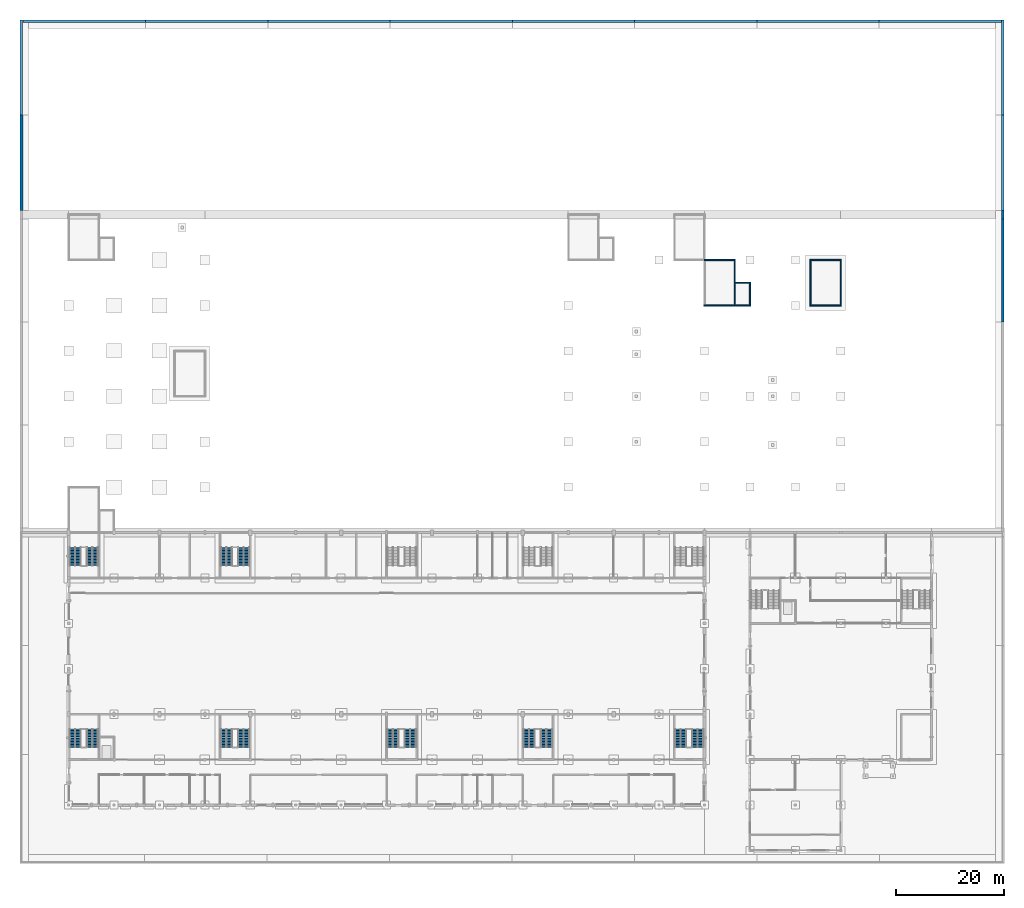
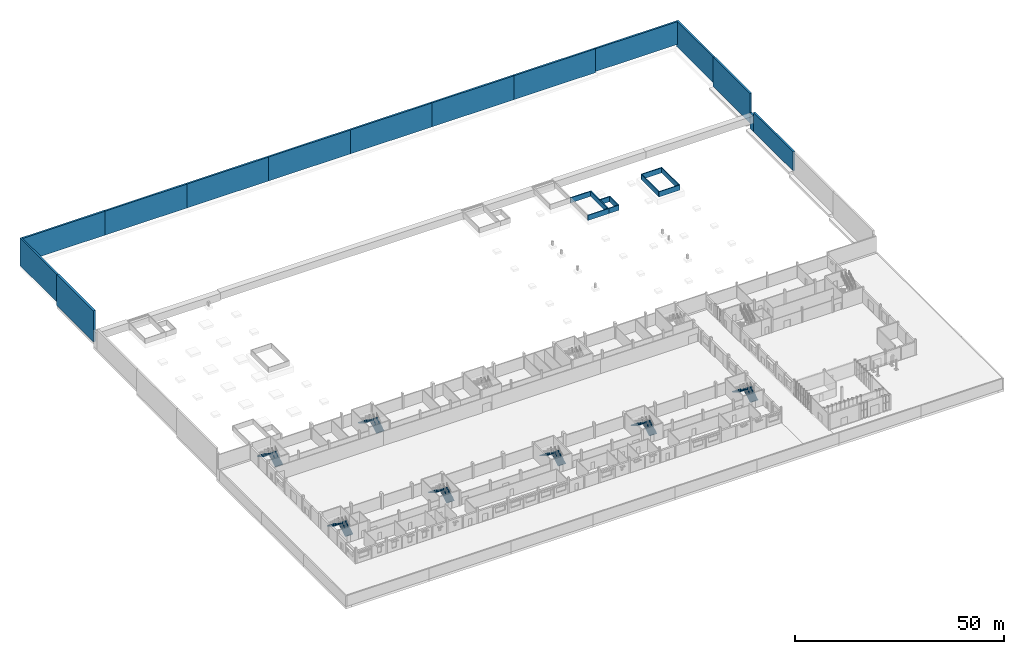
# One storey, part 28 of 36: 24 walls, 14 stair flights, 7 elements without a shape of their own.
"""IFC4 building model written with IfcOpenShell, lengths in metres."""

from ifc_helpers import new_model, si_unit, direction, frame, frame_2d, origin, place, context, subcontext, project, spatial, polyline, rectangle, outline, extrude, material, layer, layer_set, type_object, element, aggregate, save


model = new_model("IFC4")

# Units and contexts
model_context = context("Model", 3, precision=1e-05, world=origin(), true_north=direction((0.0, 1.0)))
body_context = subcontext(model_context, "Body", "Model", "MODEL_VIEW")
ifc_project = project(units=[si_unit("LENGTHUNIT", "METRE"), si_unit("AREAUNIT", "SQUARE_METRE"), si_unit("VOLUMEUNIT", "CUBIC_METRE"), si_unit("PLANEANGLEUNIT", "RADIAN"), si_unit("MASSUNIT", "GRAM", prefix="KILO")], contexts=[model_context])

# Site, building, storey
site_placement = place(None, origin())
site = spatial("IfcSite", under=ifc_project, at=site_placement, CompositionType="ELEMENT")
building_placement = place(site_placement, origin())
building = spatial("IfcBuilding", under=site, at=building_placement, Name="Fescue Hill Polytechnic", CompositionType="ELEMENT")
storey_placement = place(building_placement, origin())
storey = spatial("IfcBuildingStorey", under=building, at=storey_placement, Name="L00", CompositionType="ELEMENT", Elevation=0.0)

# Walls
ifc_material_1 = material(Name="Concrete 40 MPa", Category="concrete")
ifc_layer_1 = layer(ifc_material_1, 0.25)
ifc_layer_set_1 = layer_set([ifc_layer_1], Name="Concrete 40 MPa")
wall_type_1 = type_object("IfcWallType", Name="Core wall 250", PredefinedType="SHEAR", material=ifc_layer_set_1)
for number, where, z_axis, x_axis, name in (
    (1, (117.47509765625, 92.39990234375, 3.0), (0.0, 0.0, 1.0), (1.0, 0.0, 0.0), "FW-ST-V2-1-1"),
    (2, (117.47509765625, 100.800048828125, 3.0), (0.0, 0.0, 1.0), (1.0, 0.0, 0.0), "FW-ST-V2-1-2"),
):
    element("IfcWall", number, at=place(storey_placement, frame(where, z_axis=z_axis, x_axis=x_axis)), inside=storey, type_object=wall_type_1, Name=name, PredefinedType="SHEAR", context=body_context, shape_type="SweptSolid", body=[
        extrude(rectangle(XDim=5.849853515625, YDim=0.25, at=frame_2d((2.9248046875, 0.0))), origin(), (0.0, 0.0, 1.0), 1.5),
    ])
wall_1_placement = place(storey_placement, frame((123.199951171875, 92.52490234375, 3.0), z_axis=(0.0, 0.0, 1.0), x_axis=(0.0, 1.0, 0.0)))
element("IfcWall", 3, at=wall_1_placement, inside=storey, type_object=wall_type_1, Name="FW-ST-V2-1-4", PredefinedType="SHEAR", context=body_context, shape_type="SweptSolid", body=[
    extrude(rectangle(XDim=8.150146484375, YDim=0.25, at=frame_2d((4.0751953125, 0.0))), origin(), (0.0, 0.0, 1.0), 1.5),
])
for number, where, z_axis, x_axis, name in (
    (4, (137.074951171875, 92.39990234375, 3.0), (0.0, 0.0, 1.0), (1.0, 0.0, 0.0), "FW-ST-V2-2-1"),
    (5, (137.074951171875, 100.800048828125, 3.0), (0.0, 0.0, 1.0), (1.0, 0.0, 0.0), "FW-ST-V2-2-2"),
):
    element("IfcWall", number, at=place(storey_placement, frame(where, z_axis=z_axis, x_axis=x_axis)), inside=storey, type_object=wall_type_1, Name=name, PredefinedType="SHEAR", context=body_context, shape_type="SweptSolid", body=[
        extrude(rectangle(XDim=5.85009765625, YDim=0.25, at=frame_2d((2.925048828125, 0.0))), origin(), (0.0, 0.0, 1.0), 1.5),
    ])
for number, where, z_axis, x_axis, name in (
    (6, (137.199951171875, 92.52490234375, 3.0), (0.0, 0.0, 1.0), (0.0, 1.0, 0.0), "FW-ST-V2-2-3"),
    (7, (142.800048828125, 92.52490234375, 3.0), (0.0, 0.0, 1.0), (0.0, 1.0, 0.0), "FW-ST-V2-2-4"),
):
    element("IfcWall", number, at=place(storey_placement, frame(where, z_axis=z_axis, x_axis=x_axis)), inside=storey, type_object=wall_type_1, Name=name, PredefinedType="SHEAR", context=body_context, shape_type="SweptSolid", body=[
        extrude(rectangle(XDim=8.150146484375, YDim=0.25, at=frame_2d((4.0751953125, 0.0))), origin(), (0.0, 0.0, 1.0), 1.5),
    ])
ifc_layer_2 = layer(ifc_material_1, 0.25)
ifc_layer_set_2 = layer_set([ifc_layer_2], Name="Concrete 40 MPa")
wall_type_2 = type_object("IfcWallType", Name="Lift pit wall 250", PredefinedType="SHEAR", material=ifc_layer_set_2)
wall_2_placement = place(storey_placement, frame((123.324951171875, 92.39990234375, 3.0), z_axis=(0.0, 0.0, 1.0), x_axis=(1.0, 0.0, 0.0)))
element("IfcWall", 8, at=wall_2_placement, inside=storey, type_object=wall_type_2, Name="PW-L01-LF-V2-1-1", PredefinedType="SHEAR", context=body_context, shape_type="SweptSolid", body=[
    extrude(rectangle(XDim=2.800048828125, YDim=0.25, at=frame_2d((1.39990234375, 0.0))), origin(), (0.0, 0.0, 1.0), 1.5),
])
wall_3_placement = place(storey_placement, frame((123.2099609375, 96.60009765625, 3.0), z_axis=(0.0, 0.0, 1.0), x_axis=(1.0, 0.0, 0.0)))
element("IfcWall", 9, at=wall_3_placement, inside=storey, type_object=wall_type_2, Name="PW-L01-LF-V2-1-2", PredefinedType="SHEAR", context=body_context, shape_type="SweptSolid", body=[
    extrude(rectangle(XDim=2.9150390625, YDim=0.25, at=frame_2d((1.45751953125, 0.0))), origin(), (0.0, 0.0, 1.0), 1.5),
])
wall_4_placement = place(storey_placement, frame((126.0, 92.52490234375, 3.0), z_axis=(0.0, 0.0, 1.0), x_axis=(0.0, 1.0, 0.0)))
element("IfcWall", 10, at=wall_4_placement, inside=storey, type_object=wall_type_2, Name="PW-L01-LF-V2-1-4", PredefinedType="SHEAR", context=body_context, shape_type="SweptSolid", body=[
    extrude(rectangle(XDim=3.9501953125, YDim=0.25, at=frame_2d((1.97509765625, 0.0))), origin(), (0.0, 0.0, 1.0), 1.5),
])
ifc_material_2 = material(Name="Concrete 35 MPa", Category="concrete")
ifc_layer_3 = layer(ifc_material_2, 0.5)
ifc_layer_set_3 = layer_set([ifc_layer_3], Name="Concrete 35 MPa")
wall_type_3 = type_object("IfcWallType", Name="Retaining wall 500", PredefinedType="SOLIDWALL", material=ifc_layer_set_3)
wall_5_placement = place(storey_placement, frame((-8.742919921875, 127.596435546875, 2.033935546875), z_axis=(0.0, 0.0, 1.0), x_axis=(0.0, 1.0, 0.0)))
element("IfcWall", 11, at=wall_5_placement, inside=storey, type_object=wall_type_3, Name="RT-PW15", PredefinedType="SOLIDWALL", context=body_context, shape_type="SweptSolid", body=[
    extrude(rectangle(XDim=17.5966796875, YDim=0.5, at=frame_2d((8.79833984375, 0.0))), origin(), (0.0, 0.0, 1.0), 8.066162109375),
])
wall_6_placement = place(storey_placement, frame((172.742919921875, 89.333251953125, 0.0), z_axis=(0.0, 0.0, 1.0), x_axis=(0.0, 1.0, 0.0)))
element("IfcWall", 12, at=wall_6_placement, inside=storey, type_object=wall_type_3, Name="RT-PW24", PredefinedType="SOLIDWALL", context=body_context, shape_type="SweptSolid", body=[
    extrude(rectangle(XDim=19.066650390625, YDim=0.5, at=frame_2d((9.533203125, 0.0))), origin(), (0.0, 0.0, 1.0), 5.60009765625),
])
wall_7_placement = place(storey_placement, frame((172.742919921875, 108.39990234375, 0.0), z_axis=(0.0, 0.0, 1.0), x_axis=(0.0, 1.0, 0.0)))
element("IfcWall", 13, at=wall_7_placement, inside=storey, type_object=wall_type_3, Name="RT-PW25", PredefinedType="SOLIDWALL", context=body_context, shape_type="SweptSolid", body=[
    extrude(rectangle(XDim=1.60009765625, YDim=0.5, at=frame_2d((0.800048828125, 0.0))), origin(), (0.0, 0.0, 1.0), 4.5),
])
wall_8_placement = place(storey_placement, frame((172.742919921875, 110.0, 1.51806640625), z_axis=(0.0, 0.0, 1.0), x_axis=(0.0, 1.0, 0.0)))
element("IfcWall", 14, at=wall_8_placement, inside=storey, type_object=wall_type_3, Name="RT-PW29", PredefinedType="SOLIDWALL", context=body_context, shape_type="SweptSolid", body=[
    extrude(rectangle(XDim=17.596435546875, YDim=0.5, at=frame_2d((8.79833984375, 0.0))), origin(), (0.0, 0.0, 1.0), 8.58203125),
])
wall_9_placement = place(storey_placement, frame((172.742919921875, 127.596435546875, 2.544921875), z_axis=(0.0, 0.0, 1.0), x_axis=(0.0, 1.0, 0.0)))
element("IfcWall", 15, at=wall_9_placement, inside=storey, type_object=wall_type_3, Name="RT-PW30", PredefinedType="SOLIDWALL", context=body_context, shape_type="SweptSolid", body=[
    extrude(rectangle(XDim=17.5966796875, YDim=0.5, at=frame_2d((8.79833984375, 0.0))), origin(), (0.0, 0.0, 1.0), 7.55517578125),
])
for number, where, z_axis, x_axis, name in (
    (16, (-8.39306640625, 144.943115234375, 3.087890625), (0.0, 0.0, 1.0), (1.0, 0.0, 0.0), "RT-PW39"),
    (17, (14.2177734375, 144.943115234375, 3.087890625), (0.0, 0.0, 1.0), (1.0, 0.0, 0.0), "RT-PW40"),
):
    element("IfcWall", number, at=place(storey_placement, frame(where, z_axis=z_axis, x_axis=x_axis)), inside=storey, type_object=wall_type_3, Name=name, PredefinedType="SOLIDWALL", context=body_context, shape_type="SweptSolid", body=[
        extrude(rectangle(XDim=22.61083984375, YDim=0.5, at=frame_2d((11.305419921875, 0.0))), origin(), (0.0, 0.0, 1.0), 7.01220703125),
    ])
wall_10_placement = place(storey_placement, frame((36.82861328125, 144.943115234375, 3.087890625), z_axis=(0.0, 0.0, 1.0), x_axis=(1.0, 0.0, 0.0)))
element("IfcWall", 18, at=wall_10_placement, inside=storey, type_object=wall_type_3, Name="RT-PW41", PredefinedType="SOLIDWALL", context=body_context, shape_type="SweptSolid", body=[
    extrude(rectangle(XDim=22.610595703125, YDim=0.5, at=frame_2d((11.30517578125, 0.0))), origin(), (0.0, 0.0, 1.0), 7.01220703125),
])
wall_11_placement = place(storey_placement, frame((59.439208984375, 144.943115234375, 3.087890625), z_axis=(0.0, 0.0, 1.0), x_axis=(1.0, 0.0, 0.0)))
element("IfcWall", 19, at=wall_11_placement, inside=storey, type_object=wall_type_3, Name="RT-PW42", PredefinedType="SOLIDWALL", context=body_context, shape_type="SweptSolid", body=[
    extrude(rectangle(XDim=22.61083984375, YDim=0.5, at=frame_2d((11.305419921875, 0.0))), origin(), (0.0, 0.0, 1.0), 7.01220703125),
])
wall_12_placement = place(storey_placement, frame((82.050048828125, 144.943115234375, 3.087890625), z_axis=(0.0, 0.0, 1.0), x_axis=(1.0, 0.0, 0.0)))
element("IfcWall", 20, at=wall_12_placement, inside=storey, type_object=wall_type_3, Name="RT-PW43", PredefinedType="SOLIDWALL", context=body_context, shape_type="SweptSolid", body=[
    extrude(rectangle(XDim=22.610595703125, YDim=0.5, at=frame_2d((11.30517578125, 0.0))), origin(), (0.0, 0.0, 1.0), 7.01220703125),
])
wall_13_placement = place(storey_placement, frame((104.66064453125, 144.943115234375, 3.087890625), z_axis=(0.0, 0.0, 1.0), x_axis=(1.0, 0.0, 0.0)))
element("IfcWall", 21, at=wall_13_placement, inside=storey, type_object=wall_type_3, Name="RT-PW44", PredefinedType="SOLIDWALL", context=body_context, shape_type="SweptSolid", body=[
    extrude(rectangle(XDim=22.61083984375, YDim=0.5, at=frame_2d((11.305419921875, 0.0))), origin(), (0.0, 0.0, 1.0), 7.01220703125),
])
wall_14_placement = place(storey_placement, frame((127.271484375, 144.943115234375, 3.111083984375), z_axis=(0.0, 0.0, 1.0), x_axis=(1.0, 0.0, 0.0)))
element("IfcWall", 22, at=wall_14_placement, inside=storey, type_object=wall_type_3, Name="RT-PW45", PredefinedType="SOLIDWALL", context=body_context, shape_type="SweptSolid", body=[
    extrude(rectangle(XDim=22.610595703125, YDim=0.5, at=frame_2d((11.30517578125, 0.0))), origin(), (0.0, 0.0, 1.0), 6.989013671875),
])
wall_15_placement = place(storey_placement, frame((149.882080078125, 144.943115234375, 3.422119140625), z_axis=(0.0, 0.0, 1.0), x_axis=(1.0, 0.0, 0.0)))
element("IfcWall", 23, at=wall_15_placement, inside=storey, type_object=wall_type_3, Name="RT-PW46", PredefinedType="SOLIDWALL", context=body_context, shape_type="SweptSolid", body=[
    extrude(rectangle(XDim=22.61083984375, YDim=0.5, at=frame_2d((11.305419921875, 0.0))), origin(), (0.0, 0.0, 1.0), 6.677978515625),
])
ifc_layer_4 = layer(ifc_material_2, 0.60009765625)
ifc_layer_set_4 = layer_set([ifc_layer_4], Name="Concrete 35 MPa")
wall_type_4 = type_object("IfcWallType", Name="Retaining wall 600", PredefinedType="SOLIDWALL", material=ifc_layer_set_4)
wall_16_placement = place(storey_placement, frame((-8.693115234375, 110.0, 1.009033203125), z_axis=(0.0, 0.0, 1.0), x_axis=(0.0, 1.0, 0.0)))
element("IfcWall", 24, at=wall_16_placement, inside=storey, type_object=wall_type_4, Name="RT-PW14", PredefinedType="SOLIDWALL", context=body_context, shape_type="SweptSolid", body=[
    extrude(rectangle(XDim=17.596435546875, YDim=0.60009765625, at=frame_2d((8.79833984375, 0.0))), origin(), (0.0, 0.0, 1.0), 9.091064453125),
])

# Stair, stair flights
stair_type = type_object("IfcStairType", Name="Half-turn stair 2150 flights", PredefinedType="HALF_TURN_STAIR", material=ifc_material_2)
stair_1_placement = place(storey_placement, origin())
stair_1 = element("IfcStair", 25, at=stair_1_placement, inside=storey, type_object=stair_type, Name="L00 ST-V1-1 stair", PredefinedType="HALF_TURN_STAIR")
stair_flight_type = type_object("IfcStairFlightType", Name="Stair flight 2150 wide", PredefinedType="STRAIGHT", material=ifc_material_2)
stair_flight_1_placement = place(storey_placement, frame((4.39990234375, 10.675048828125, 0.0), z_axis=(0.0, 0.0, 1.0), x_axis=(0.0, 1.0, 0.0)))
stair_flight_1 = element("IfcStairFlight", 26, at=stair_flight_1_placement, type_object=stair_flight_type, Name="S01 flight 1", NumberOfRisers=13, NumberOfTreads=12, PredefinedType="STRAIGHT", RiserHeight=0.173076923, TreadLength=0.28, context=body_context, shape_type="SweptSolid", body=[
    extrude(outline(polyline([(0.0, 0.0), (0.0, 0.173095703125), (0.280029296875, 0.173095703125), (0.280029296875, 0.34619140625), (0.56005859375, 0.34619140625), (0.56005859375, 0.519287109375), (0.840087890625, 0.519287109375), (0.840087890625, 0.6923828125), (1.1201171875, 0.6923828125), (1.1201171875, 0.865478515625), (1.39990234375, 0.865478515625), (1.39990234375, 1.03857421875), (1.679931640625, 1.03857421875), (1.679931640625, 1.21142578125), (1.9599609375, 1.21142578125), (1.9599609375, 1.384521484375), (2.239990234375, 1.384521484375), (2.239990234375, 1.5576171875), (2.52001953125, 1.5576171875), (2.52001953125, 1.730712890625), (2.800048828125, 1.730712890625), (2.800048828125, 1.90380859375), (3.080078125, 1.90380859375), (3.080078125, 2.076904296875), (3.360107421875, 2.076904296875), (3.360107421875, 2.25), (3.360107421875, 1.900634765625), (0.28515625, 0.0), (0.0, 0.0)])), frame((0.0, 1.074951171875, 0.0), z_axis=(0.0, -1.0, 0.0), x_axis=(1.0, 0.0, 0.0)), (0.0, 0.0, 1.0), 2.14990234375),
])
stair_flight_2_placement = place(storey_placement, frame((1.22509765625, 14.034912109375, 2.25), z_axis=(0.0, 0.0, 1.0), x_axis=(0.0, -1.0, 0.0)))
stair_flight_2 = element("IfcStairFlight", 27, at=stair_flight_2_placement, type_object=stair_flight_type, Name="S01 flight 2", NumberOfRisers=13, NumberOfTreads=12, PredefinedType="STRAIGHT", RiserHeight=0.173076923, TreadLength=0.28, context=body_context, shape_type="SweptSolid", body=[
    extrude(outline(polyline([(0.0, 0.0), (0.0, 0.173095703125), (0.280029296875, 0.173095703125), (0.280029296875, 0.34619140625), (0.56005859375, 0.34619140625), (0.56005859375, 0.519287109375), (0.840087890625, 0.519287109375), (0.840087890625, 0.6923828125), (1.1201171875, 0.6923828125), (1.1201171875, 0.865478515625), (1.39990234375, 0.865478515625), (1.39990234375, 1.03857421875), (1.679931640625, 1.03857421875), (1.679931640625, 1.21142578125), (1.9599609375, 1.21142578125), (1.9599609375, 1.384521484375), (2.239990234375, 1.384521484375), (2.239990234375, 1.5576171875), (2.52001953125, 1.5576171875), (2.52001953125, 1.730712890625), (2.800048828125, 1.730712890625), (2.800048828125, 1.90380859375), (3.080078125, 1.90380859375), (3.080078125, 2.076904296875), (3.360107421875, 2.076904296875), (3.360107421875, 2.25), (3.360107421875, 1.900634765625), (0.28515625, 0.0), (0.0, 0.0)])), frame((0.0, 1.074951171875, 0.0), z_axis=(0.0, -1.0, 0.0), x_axis=(1.0, 0.0, 0.0)), (0.0, 0.0, 1.0), 2.14990234375),
])
aggregate(stair_1, [stair_flight_1, stair_flight_2])

stair_2_placement = place(storey_placement, origin())
stair_2 = element("IfcStair", 28, at=stair_2_placement, inside=storey, type_object=stair_type, Name="L00 ST-V1-2 stair", PredefinedType="HALF_TURN_STAIR")
stair_flight_3_placement = place(storey_placement, frame((32.39990234375, 10.675048828125, 0.0), z_axis=(0.0, 0.0, 1.0), x_axis=(0.0, 1.0, 0.0)))
stair_flight_3 = element("IfcStairFlight", 29, at=stair_flight_3_placement, type_object=stair_flight_type, Name="S02 flight 1", NumberOfRisers=13, NumberOfTreads=12, PredefinedType="STRAIGHT", RiserHeight=0.173076923, TreadLength=0.28, context=body_context, shape_type="SweptSolid", body=[
    extrude(outline(polyline([(0.0, 0.0), (0.0, 0.173095703125), (0.280029296875, 0.173095703125), (0.280029296875, 0.34619140625), (0.56005859375, 0.34619140625), (0.56005859375, 0.519287109375), (0.840087890625, 0.519287109375), (0.840087890625, 0.6923828125), (1.1201171875, 0.6923828125), (1.1201171875, 0.865478515625), (1.39990234375, 0.865478515625), (1.39990234375, 1.03857421875), (1.679931640625, 1.03857421875), (1.679931640625, 1.21142578125), (1.9599609375, 1.21142578125), (1.9599609375, 1.384521484375), (2.239990234375, 1.384521484375), (2.239990234375, 1.5576171875), (2.52001953125, 1.5576171875), (2.52001953125, 1.730712890625), (2.800048828125, 1.730712890625), (2.800048828125, 1.90380859375), (3.080078125, 1.90380859375), (3.080078125, 2.076904296875), (3.360107421875, 2.076904296875), (3.360107421875, 2.25), (3.360107421875, 1.900634765625), (0.28515625, 0.0), (0.0, 0.0)])), frame((0.0, 1.074951171875, 0.0), z_axis=(0.0, -1.0, 0.0), x_axis=(1.0, 0.0, 0.0)), (0.0, 0.0, 1.0), 2.14990234375),
])
stair_flight_4_placement = place(storey_placement, frame((29.199951171875, 14.034912109375, 2.25), z_axis=(0.0, 0.0, 1.0), x_axis=(0.0, -1.0, 0.0)))
stair_flight_4 = element("IfcStairFlight", 30, at=stair_flight_4_placement, type_object=stair_flight_type, Name="S02 flight 2", NumberOfRisers=13, NumberOfTreads=12, PredefinedType="STRAIGHT", RiserHeight=0.173076923, TreadLength=0.28, context=body_context, shape_type="SweptSolid", body=[
    extrude(outline(polyline([(0.0, 0.0), (0.0, 0.173095703125), (0.280029296875, 0.173095703125), (0.280029296875, 0.34619140625), (0.56005859375, 0.34619140625), (0.56005859375, 0.519287109375), (0.840087890625, 0.519287109375), (0.840087890625, 0.6923828125), (1.1201171875, 0.6923828125), (1.1201171875, 0.865478515625), (1.39990234375, 0.865478515625), (1.39990234375, 1.03857421875), (1.679931640625, 1.03857421875), (1.679931640625, 1.21142578125), (1.9599609375, 1.21142578125), (1.9599609375, 1.384521484375), (2.239990234375, 1.384521484375), (2.239990234375, 1.5576171875), (2.52001953125, 1.5576171875), (2.52001953125, 1.730712890625), (2.800048828125, 1.730712890625), (2.800048828125, 1.90380859375), (3.080078125, 1.90380859375), (3.080078125, 2.076904296875), (3.360107421875, 2.076904296875), (3.360107421875, 2.25), (3.360107421875, 1.900634765625), (0.28515625, 0.0), (0.0, 0.0)])), frame((0.0, 1.074951171875, 0.0), z_axis=(0.0, -1.0, 0.0), x_axis=(1.0, 0.0, 0.0)), (0.0, 0.0, 1.0), 2.14990234375),
])
aggregate(stair_2, [stair_flight_3, stair_flight_4])

stair_3_placement = place(storey_placement, origin())
stair_3 = element("IfcStair", 31, at=stair_3_placement, inside=storey, type_object=stair_type, Name="L00 ST-V1-3 stair", PredefinedType="HALF_TURN_STAIR")
stair_flight_5_placement = place(storey_placement, frame((63.199951171875, 10.675048828125, 0.0), z_axis=(0.0, 0.0, 1.0), x_axis=(0.0, 1.0, 0.0)))
stair_flight_5 = element("IfcStairFlight", 32, at=stair_flight_5_placement, type_object=stair_flight_type, Name="S03 flight 1", NumberOfRisers=13, NumberOfTreads=12, PredefinedType="STRAIGHT", RiserHeight=0.173076923, TreadLength=0.28, context=body_context, shape_type="SweptSolid", body=[
    extrude(outline(polyline([(0.0, 0.0), (0.0, 0.173095703125), (0.280029296875, 0.173095703125), (0.280029296875, 0.34619140625), (0.56005859375, 0.34619140625), (0.56005859375, 0.519287109375), (0.840087890625, 0.519287109375), (0.840087890625, 0.6923828125), (1.1201171875, 0.6923828125), (1.1201171875, 0.865478515625), (1.39990234375, 0.865478515625), (1.39990234375, 1.03857421875), (1.679931640625, 1.03857421875), (1.679931640625, 1.21142578125), (1.9599609375, 1.21142578125), (1.9599609375, 1.384521484375), (2.239990234375, 1.384521484375), (2.239990234375, 1.5576171875), (2.52001953125, 1.5576171875), (2.52001953125, 1.730712890625), (2.800048828125, 1.730712890625), (2.800048828125, 1.90380859375), (3.080078125, 1.90380859375), (3.080078125, 2.076904296875), (3.360107421875, 2.076904296875), (3.360107421875, 2.25), (3.360107421875, 1.900634765625), (0.28515625, 0.0), (0.0, 0.0)])), frame((0.0, 1.074951171875, 0.0), z_axis=(0.0, -1.0, 0.0), x_axis=(1.0, 0.0, 0.0)), (0.0, 0.0, 1.0), 2.14990234375),
])
stair_flight_6_placement = place(storey_placement, frame((60.0, 14.034912109375, 2.25), z_axis=(0.0, 0.0, 1.0), x_axis=(0.0, -1.0, 0.0)))
stair_flight_6 = element("IfcStairFlight", 33, at=stair_flight_6_placement, type_object=stair_flight_type, Name="S03 flight 2", NumberOfRisers=13, NumberOfTreads=12, PredefinedType="STRAIGHT", RiserHeight=0.173076923, TreadLength=0.28, context=body_context, shape_type="SweptSolid", body=[
    extrude(outline(polyline([(0.0, 0.0), (0.0, 0.173095703125), (0.280029296875, 0.173095703125), (0.280029296875, 0.34619140625), (0.56005859375, 0.34619140625), (0.56005859375, 0.519287109375), (0.840087890625, 0.519287109375), (0.840087890625, 0.6923828125), (1.1201171875, 0.6923828125), (1.1201171875, 0.865478515625), (1.39990234375, 0.865478515625), (1.39990234375, 1.03857421875), (1.679931640625, 1.03857421875), (1.679931640625, 1.21142578125), (1.9599609375, 1.21142578125), (1.9599609375, 1.384521484375), (2.239990234375, 1.384521484375), (2.239990234375, 1.5576171875), (2.52001953125, 1.5576171875), (2.52001953125, 1.730712890625), (2.800048828125, 1.730712890625), (2.800048828125, 1.90380859375), (3.080078125, 1.90380859375), (3.080078125, 2.076904296875), (3.360107421875, 2.076904296875), (3.360107421875, 2.25), (3.360107421875, 1.900634765625), (0.28515625, 0.0), (0.0, 0.0)])), frame((0.0, 1.074951171875, 0.0), z_axis=(0.0, -1.0, 0.0), x_axis=(1.0, 0.0, 0.0)), (0.0, 0.0, 1.0), 2.14990234375),
])
aggregate(stair_3, [stair_flight_5, stair_flight_6])

stair_4_placement = place(storey_placement, origin())
stair_4 = element("IfcStair", 34, at=stair_4_placement, inside=storey, type_object=stair_type, Name="L00 ST-V1-4 stair", PredefinedType="HALF_TURN_STAIR")
stair_flight_7_placement = place(storey_placement, frame((88.39990234375, 10.675048828125, 0.0), z_axis=(0.0, 0.0, 1.0), x_axis=(0.0, 1.0, 0.0)))
stair_flight_7 = element("IfcStairFlight", 35, at=stair_flight_7_placement, type_object=stair_flight_type, Name="S04 flight 1", NumberOfRisers=13, NumberOfTreads=12, PredefinedType="STRAIGHT", RiserHeight=0.173076923, TreadLength=0.28, context=body_context, shape_type="SweptSolid", body=[
    extrude(outline(polyline([(0.0, 0.0), (0.0, 0.173095703125), (0.280029296875, 0.173095703125), (0.280029296875, 0.34619140625), (0.56005859375, 0.34619140625), (0.56005859375, 0.519287109375), (0.840087890625, 0.519287109375), (0.840087890625, 0.6923828125), (1.1201171875, 0.6923828125), (1.1201171875, 0.865478515625), (1.39990234375, 0.865478515625), (1.39990234375, 1.03857421875), (1.679931640625, 1.03857421875), (1.679931640625, 1.21142578125), (1.9599609375, 1.21142578125), (1.9599609375, 1.384521484375), (2.239990234375, 1.384521484375), (2.239990234375, 1.5576171875), (2.52001953125, 1.5576171875), (2.52001953125, 1.730712890625), (2.800048828125, 1.730712890625), (2.800048828125, 1.90380859375), (3.080078125, 1.90380859375), (3.080078125, 2.076904296875), (3.360107421875, 2.076904296875), (3.360107421875, 2.25), (3.360107421875, 1.900634765625), (0.28515625, 0.0), (0.0, 0.0)])), frame((0.0, 1.074951171875, 0.0), z_axis=(0.0, -1.0, 0.0), x_axis=(1.0, 0.0, 0.0)), (0.0, 0.0, 1.0), 2.14990234375),
])
stair_flight_8_placement = place(storey_placement, frame((85.199951171875, 14.034912109375, 2.25), z_axis=(0.0, 0.0, 1.0), x_axis=(0.0, -1.0, 0.0)))
stair_flight_8 = element("IfcStairFlight", 36, at=stair_flight_8_placement, type_object=stair_flight_type, Name="S04 flight 2", NumberOfRisers=13, NumberOfTreads=12, PredefinedType="STRAIGHT", RiserHeight=0.173076923, TreadLength=0.28, context=body_context, shape_type="SweptSolid", body=[
    extrude(outline(polyline([(0.0, 0.0), (0.0, 0.173095703125), (0.280029296875, 0.173095703125), (0.280029296875, 0.34619140625), (0.56005859375, 0.34619140625), (0.56005859375, 0.519287109375), (0.840087890625, 0.519287109375), (0.840087890625, 0.6923828125), (1.1201171875, 0.6923828125), (1.1201171875, 0.865478515625), (1.39990234375, 0.865478515625), (1.39990234375, 1.03857421875), (1.679931640625, 1.03857421875), (1.679931640625, 1.21142578125), (1.9599609375, 1.21142578125), (1.9599609375, 1.384521484375), (2.239990234375, 1.384521484375), (2.239990234375, 1.5576171875), (2.52001953125, 1.5576171875), (2.52001953125, 1.730712890625), (2.800048828125, 1.730712890625), (2.800048828125, 1.90380859375), (3.080078125, 1.90380859375), (3.080078125, 2.076904296875), (3.360107421875, 2.076904296875), (3.360107421875, 2.25), (3.360107421875, 1.900634765625), (0.28515625, 0.0), (0.0, 0.0)])), frame((0.0, 1.074951171875, 0.0), z_axis=(0.0, -1.0, 0.0), x_axis=(1.0, 0.0, 0.0)), (0.0, 0.0, 1.0), 2.14990234375),
])
aggregate(stair_4, [stair_flight_7, stair_flight_8])

stair_5_placement = place(storey_placement, origin())
stair_5 = element("IfcStair", 37, at=stair_5_placement, inside=storey, type_object=stair_type, Name="L00 ST-V1-10 stair", PredefinedType="HALF_TURN_STAIR")
stair_flight_9_placement = place(storey_placement, frame((116.375, 10.675048828125, 0.0), z_axis=(0.0, 0.0, 1.0), x_axis=(0.0, 1.0, 0.0)))
stair_flight_9 = element("IfcStairFlight", 38, at=stair_flight_9_placement, type_object=stair_flight_type, Name="S05 flight 1", NumberOfRisers=13, NumberOfTreads=12, PredefinedType="STRAIGHT", RiserHeight=0.173076923, TreadLength=0.28, context=body_context, shape_type="SweptSolid", body=[
    extrude(outline(polyline([(0.0, 0.0), (0.0, 0.173095703125), (0.280029296875, 0.173095703125), (0.280029296875, 0.34619140625), (0.56005859375, 0.34619140625), (0.56005859375, 0.519287109375), (0.840087890625, 0.519287109375), (0.840087890625, 0.6923828125), (1.1201171875, 0.6923828125), (1.1201171875, 0.865478515625), (1.39990234375, 0.865478515625), (1.39990234375, 1.03857421875), (1.679931640625, 1.03857421875), (1.679931640625, 1.21142578125), (1.9599609375, 1.21142578125), (1.9599609375, 1.384521484375), (2.239990234375, 1.384521484375), (2.239990234375, 1.5576171875), (2.52001953125, 1.5576171875), (2.52001953125, 1.730712890625), (2.800048828125, 1.730712890625), (2.800048828125, 1.90380859375), (3.080078125, 1.90380859375), (3.080078125, 2.076904296875), (3.360107421875, 2.076904296875), (3.360107421875, 2.25), (3.360107421875, 1.900634765625), (0.28515625, 0.0), (0.0, 0.0)])), frame((0.0, 1.074951171875, 0.0), z_axis=(0.0, -1.0, 0.0), x_axis=(1.0, 0.0, 0.0)), (0.0, 0.0, 1.0), 2.14990234375),
])
stair_flight_10_placement = place(storey_placement, frame((113.199951171875, 14.034912109375, 2.25), z_axis=(0.0, 0.0, 1.0), x_axis=(0.0, -1.0, 0.0)))
stair_flight_10 = element("IfcStairFlight", 39, at=stair_flight_10_placement, type_object=stair_flight_type, Name="S05 flight 2", NumberOfRisers=13, NumberOfTreads=12, PredefinedType="STRAIGHT", RiserHeight=0.173076923, TreadLength=0.28, context=body_context, shape_type="SweptSolid", body=[
    extrude(outline(polyline([(0.0, 0.0), (0.0, 0.173095703125), (0.280029296875, 0.173095703125), (0.280029296875, 0.34619140625), (0.56005859375, 0.34619140625), (0.56005859375, 0.519287109375), (0.840087890625, 0.519287109375), (0.840087890625, 0.6923828125), (1.1201171875, 0.6923828125), (1.1201171875, 0.865478515625), (1.39990234375, 0.865478515625), (1.39990234375, 1.03857421875), (1.679931640625, 1.03857421875), (1.679931640625, 1.21142578125), (1.9599609375, 1.21142578125), (1.9599609375, 1.384521484375), (2.239990234375, 1.384521484375), (2.239990234375, 1.5576171875), (2.52001953125, 1.5576171875), (2.52001953125, 1.730712890625), (2.800048828125, 1.730712890625), (2.800048828125, 1.90380859375), (3.080078125, 1.90380859375), (3.080078125, 2.076904296875), (3.360107421875, 2.076904296875), (3.360107421875, 2.25), (3.360107421875, 1.900634765625), (0.28515625, 0.0), (0.0, 0.0)])), frame((0.0, 1.074951171875, 0.0), z_axis=(0.0, -1.0, 0.0), x_axis=(1.0, 0.0, 0.0)), (0.0, 0.0, 1.0), 2.14990234375),
])
aggregate(stair_5, [stair_flight_9, stair_flight_10])

stair_6_placement = place(storey_placement, origin())
stair_6 = element("IfcStair", 40, at=stair_6_placement, inside=storey, type_object=stair_type, Name="L00 ST-V1-5 stair", PredefinedType="HALF_TURN_STAIR")
stair_flight_11_placement = place(storey_placement, frame((4.39990234375, 44.27490234375, 0.0), z_axis=(0.0, 0.0, 1.0), x_axis=(0.0, 1.0, 0.0)))
stair_flight_11 = element("IfcStairFlight", 41, at=stair_flight_11_placement, type_object=stair_flight_type, Name="S06 flight 1", NumberOfRisers=13, NumberOfTreads=12, PredefinedType="STRAIGHT", RiserHeight=0.173076923, TreadLength=0.28, context=body_context, shape_type="SweptSolid", body=[
    extrude(outline(polyline([(0.0, 0.0), (0.0, 0.173095703125), (0.280029296875, 0.173095703125), (0.280029296875, 0.34619140625), (0.56005859375, 0.34619140625), (0.56005859375, 0.519287109375), (0.840087890625, 0.519287109375), (0.840087890625, 0.6923828125), (1.1201171875, 0.6923828125), (1.1201171875, 0.865478515625), (1.39990234375, 0.865478515625), (1.39990234375, 1.03857421875), (1.679931640625, 1.03857421875), (1.679931640625, 1.21142578125), (1.9599609375, 1.21142578125), (1.9599609375, 1.384521484375), (2.239990234375, 1.384521484375), (2.239990234375, 1.5576171875), (2.52001953125, 1.5576171875), (2.52001953125, 1.730712890625), (2.800048828125, 1.730712890625), (2.800048828125, 1.90380859375), (3.080078125, 1.90380859375), (3.080078125, 2.076904296875), (3.360107421875, 2.076904296875), (3.360107421875, 2.25), (3.360107421875, 1.900634765625), (0.28515625, 0.0), (0.0, 0.0)])), frame((0.0, 1.074951171875, 0.0), z_axis=(0.0, -1.0, 0.0), x_axis=(1.0, 0.0, 0.0)), (0.0, 0.0, 1.0), 2.14990234375),
])
stair_flight_12_placement = place(storey_placement, frame((1.22509765625, 47.635009765625, 2.25), z_axis=(0.0, 0.0, 1.0), x_axis=(0.0, -1.0, 0.0)))
stair_flight_12 = element("IfcStairFlight", 42, at=stair_flight_12_placement, type_object=stair_flight_type, Name="S06 flight 2", NumberOfRisers=13, NumberOfTreads=12, PredefinedType="STRAIGHT", RiserHeight=0.173076923, TreadLength=0.28, context=body_context, shape_type="SweptSolid", body=[
    extrude(outline(polyline([(0.0, 0.0), (0.0, 0.173095703125), (0.280029296875, 0.173095703125), (0.280029296875, 0.34619140625), (0.56005859375, 0.34619140625), (0.56005859375, 0.519287109375), (0.840087890625, 0.519287109375), (0.840087890625, 0.6923828125), (1.1201171875, 0.6923828125), (1.1201171875, 0.865478515625), (1.39990234375, 0.865478515625), (1.39990234375, 1.03857421875), (1.679931640625, 1.03857421875), (1.679931640625, 1.21142578125), (1.9599609375, 1.21142578125), (1.9599609375, 1.384521484375), (2.239990234375, 1.384521484375), (2.239990234375, 1.5576171875), (2.52001953125, 1.5576171875), (2.52001953125, 1.730712890625), (2.800048828125, 1.730712890625), (2.800048828125, 1.90380859375), (3.080078125, 1.90380859375), (3.080078125, 2.076904296875), (3.360107421875, 2.076904296875), (3.360107421875, 2.25), (3.360107421875, 1.900634765625), (0.28515625, 0.0), (0.0, 0.0)])), frame((0.0, 1.074951171875, 0.0), z_axis=(0.0, -1.0, 0.0), x_axis=(1.0, 0.0, 0.0)), (0.0, 0.0, 1.0), 2.14990234375),
])
aggregate(stair_6, [stair_flight_11, stair_flight_12])

stair_7_placement = place(storey_placement, origin())
stair_7 = element("IfcStair", 43, at=stair_7_placement, inside=storey, type_object=stair_type, Name="L00 ST-V1-6 stair", PredefinedType="HALF_TURN_STAIR")
stair_flight_13_placement = place(storey_placement, frame((32.39990234375, 44.27490234375, 0.0), z_axis=(0.0, 0.0, 1.0), x_axis=(0.0, 1.0, 0.0)))
stair_flight_13 = element("IfcStairFlight", 44, at=stair_flight_13_placement, type_object=stair_flight_type, Name="S07 flight 1", NumberOfRisers=13, NumberOfTreads=12, PredefinedType="STRAIGHT", RiserHeight=0.173076923, TreadLength=0.28, context=body_context, shape_type="SweptSolid", body=[
    extrude(outline(polyline([(0.0, 0.0), (0.0, 0.173095703125), (0.280029296875, 0.173095703125), (0.280029296875, 0.34619140625), (0.56005859375, 0.34619140625), (0.56005859375, 0.519287109375), (0.840087890625, 0.519287109375), (0.840087890625, 0.6923828125), (1.1201171875, 0.6923828125), (1.1201171875, 0.865478515625), (1.39990234375, 0.865478515625), (1.39990234375, 1.03857421875), (1.679931640625, 1.03857421875), (1.679931640625, 1.21142578125), (1.9599609375, 1.21142578125), (1.9599609375, 1.384521484375), (2.239990234375, 1.384521484375), (2.239990234375, 1.5576171875), (2.52001953125, 1.5576171875), (2.52001953125, 1.730712890625), (2.800048828125, 1.730712890625), (2.800048828125, 1.90380859375), (3.080078125, 1.90380859375), (3.080078125, 2.076904296875), (3.360107421875, 2.076904296875), (3.360107421875, 2.25), (3.360107421875, 1.900634765625), (0.28515625, 0.0), (0.0, 0.0)])), frame((0.0, 1.074951171875, 0.0), z_axis=(0.0, -1.0, 0.0), x_axis=(1.0, 0.0, 0.0)), (0.0, 0.0, 1.0), 2.14990234375),
])
stair_flight_14_placement = place(storey_placement, frame((29.199951171875, 47.635009765625, 2.25), z_axis=(0.0, 0.0, 1.0), x_axis=(0.0, -1.0, 0.0)))
stair_flight_14 = element("IfcStairFlight", 45, at=stair_flight_14_placement, type_object=stair_flight_type, Name="S07 flight 2", NumberOfRisers=13, NumberOfTreads=12, PredefinedType="STRAIGHT", RiserHeight=0.173076923, TreadLength=0.28, context=body_context, shape_type="SweptSolid", body=[
    extrude(outline(polyline([(0.0, 0.0), (0.0, 0.173095703125), (0.280029296875, 0.173095703125), (0.280029296875, 0.34619140625), (0.56005859375, 0.34619140625), (0.56005859375, 0.519287109375), (0.840087890625, 0.519287109375), (0.840087890625, 0.6923828125), (1.1201171875, 0.6923828125), (1.1201171875, 0.865478515625), (1.39990234375, 0.865478515625), (1.39990234375, 1.03857421875), (1.679931640625, 1.03857421875), (1.679931640625, 1.21142578125), (1.9599609375, 1.21142578125), (1.9599609375, 1.384521484375), (2.239990234375, 1.384521484375), (2.239990234375, 1.5576171875), (2.52001953125, 1.5576171875), (2.52001953125, 1.730712890625), (2.800048828125, 1.730712890625), (2.800048828125, 1.90380859375), (3.080078125, 1.90380859375), (3.080078125, 2.076904296875), (3.360107421875, 2.076904296875), (3.360107421875, 2.25), (3.360107421875, 1.900634765625), (0.28515625, 0.0), (0.0, 0.0)])), frame((0.0, 1.074951171875, 0.0), z_axis=(0.0, -1.0, 0.0), x_axis=(1.0, 0.0, 0.0)), (0.0, 0.0, 1.0), 2.14990234375),
])
aggregate(stair_7, [stair_flight_13, stair_flight_14])

save(model, "model.ifc")
